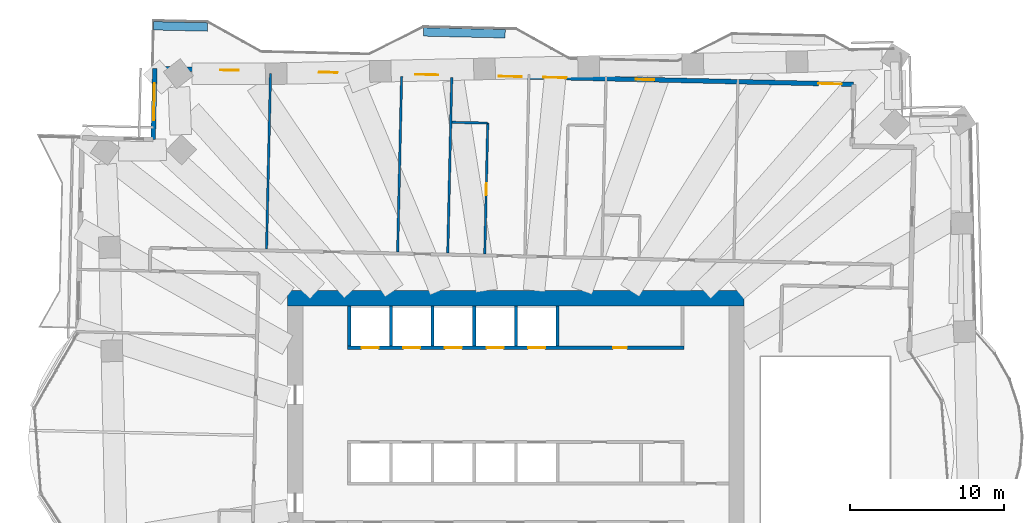
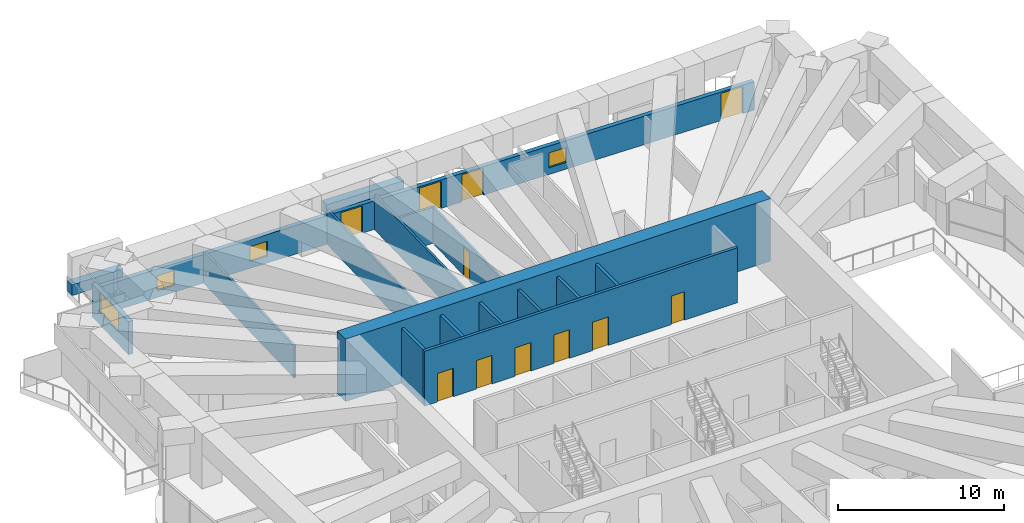
# One storey, part 13 of 20: 17 walls, 11 doors, 4 windows, 15 openings.
"""IFC4 building model written with IfcOpenShell, lengths in metres."""

import ifcopenshell
import ifcopenshell.guid

model = None  # the IFC model being written
_history = None  # IfcOwnerHistory: only IFC2X3 demands one
_inside = {}  # id of a spatial element -> (the spatial element, [elements in it])
_under = {}  # id of a project, library or spatial element -> (it, [spatial elements below it])
_declared = {}  # id of a project -> (the project, [libraries it declares])
_typed = {}  # id of a type object -> (the type object, [elements of that type])
_made_of = {}  # id of a material, layer set ... -> (it, [elements and type objects made of it])


def new_model(schema):
    """Start an empty IFC model of exactly this schema.

    Asked for "IFC4X3", IfcOpenShell would pick the latest addendum, in which some entities
    have other attributes; the version numbers below select the first issue.
    IFC2X3 requires an IfcOwnerHistory on every rooted entity: one is made here for all.
    """
    global model, _history
    if schema == "IFC4X3":
        model = ifcopenshell.file(schema_version=(4, 3, 0, 0))
    else:
        model = ifcopenshell.file(schema=schema)
    _inside.clear()
    _under.clear()
    _declared.clear()
    _typed.clear()
    _made_of.clear()
    _history = None
    if model.schema == "IFC2X3":
        org = make("IfcOrganization", Name="unknown")
        user = make(
            "IfcPersonAndOrganization",
            ThePerson=make("IfcPerson", FamilyName="unknown"),
            TheOrganization=org,
        )
        app = make(
            "IfcApplication",
            ApplicationDeveloper=org,
            Version="unknown",
            ApplicationFullName="unknown",
            ApplicationIdentifier="unknown",
        )
        _history = make(
            "IfcOwnerHistory",
            OwningUser=user,
            OwningApplication=app,
            ChangeAction="ADDED",
            CreationDate=0,
        )
    return model


def make(cls, **values):
    """One entity of the class cls with the attributes given. An attribute that is None is left unset."""
    return model.create_entity(
        cls, **{name: value for name, value in values.items() if value is not None}
    )


def rooted(cls, **values):
    """An entity with a GlobalId (a new one), such as an element, a storey or a relation."""
    return make(cls, GlobalId=ifcopenshell.guid.new(), OwnerHistory=_history, **values)


def si_unit(unit_type, name, prefix=None):
    """IfcSIUnit, for example si_unit("LENGTHUNIT", "METRE", prefix="MILLI")."""
    return make("IfcSIUnit", UnitType=unit_type, Prefix=prefix, Name=name)


def assignment(units):
    """IfcUnitAssignment: the units of a project."""
    return None if units is None else make("IfcUnitAssignment", Units=units)


def point(xyz):
    """IfcCartesianPoint."""
    return None if xyz is None else make("IfcCartesianPoint", Coordinates=xyz)


def direction(xyz):
    """IfcDirection."""
    return None if xyz is None else make("IfcDirection", DirectionRatios=xyz)


def frame(location, z_axis=None, x_axis=None):
    """IfcAxis2Placement3D, a coordinate frame: its origin and axes. An axis left out is left unset."""
    return make(
        "IfcAxis2Placement3D",
        Location=point(location),
        Axis=direction(z_axis),
        RefDirection=direction(x_axis),
    )


def frame_2d(location, x_axis=None):
    """IfcAxis2Placement2D, a coordinate frame in the plane: its origin and x axis."""
    return make(
        "IfcAxis2Placement2D", Location=point(location), RefDirection=direction(x_axis)
    )


def origin():
    """The frame at (0, 0, 0) with its axes left unset."""
    return frame((0.0, 0.0, 0.0))


def place(relative_to, where):
    """IfcLocalPlacement: puts the frame where relative to a parent placement (None: the world)."""
    return make(
        "IfcLocalPlacement", PlacementRelTo=relative_to, RelativePlacement=where
    )


def context(
    kind, dimensions, precision=None, world=None, true_north=None, identifier=None
):
    """IfcGeometricRepresentationContext, for example the 3D "Model" context."""
    return make(
        "IfcGeometricRepresentationContext",
        ContextIdentifier=identifier,
        ContextType=kind,
        CoordinateSpaceDimension=dimensions,
        Precision=precision,
        WorldCoordinateSystem=world,
        TrueNorth=true_north,
    )


def subcontext(parent, identifier, kind, view, scale=None):
    """IfcGeometricRepresentationSubContext, for example "Body" below "Model"."""
    return make(
        "IfcGeometricRepresentationSubContext",
        ContextIdentifier=identifier,
        ContextType=kind,
        ParentContext=parent,
        TargetScale=scale,
        TargetView=view,
    )


def project(units=None, contexts=None):
    """IfcProject with its units and contexts."""
    return rooted(
        "IfcProject",
        Name="project",
        RepresentationContexts=contexts,
        UnitsInContext=assignment(units),
    )


def spatial(cls, under=None, at=None, **own):
    """A site, building, storey or space (cls), placed at a placement, below another one or the project."""
    s = rooted(cls, ObjectPlacement=at, **own)
    if under is not None:
        _under.setdefault(under.id(), (under, []))[1].append(s)
    return s


def profile(cls, at=None, kind="AREA", **sizes):
    """A parametric profile (cls). Its sizes go by their IFC names, for example OverallWidth=200.0."""
    return make(cls, ProfileType=kind, Position=at, **sizes)


def rectangle(**sizes):
    """IfcRectangleProfileDef."""
    return profile("IfcRectangleProfileDef", **sizes)


def extrude(swept, where, along, depth):
    """IfcExtrudedAreaSolid: the profile swept, set in the frame where, extruded along a direction by depth."""
    return make(
        "IfcExtrudedAreaSolid",
        SweptArea=swept,
        Position=where,
        ExtrudedDirection=direction(along),
        Depth=depth,
    )


def shape(context_of_items, identifier, shape_type, items):
    """IfcShapeRepresentation: the items that make up one representation, for example the "Body"."""
    return make(
        "IfcShapeRepresentation",
        ContextOfItems=context_of_items,
        RepresentationIdentifier=identifier,
        RepresentationType=shape_type,
        Items=items,
    )


def material(Name=None, Category=None):
    """IfcMaterial."""
    return make("IfcMaterial", Name=Name, Category=Category)


def layer(
    of_material, thickness, ventilated=None, Name=None, Category=None, Priority=None
):
    """IfcMaterialLayer: one layer of a wall or slab, of a material (None: an air gap)."""
    return make(
        "IfcMaterialLayer",
        Material=of_material,
        LayerThickness=thickness,
        IsVentilated=ventilated,
        Name=Name,
        Category=Category,
        Priority=Priority,
    )


def layer_set(layers, Name=None):
    """IfcMaterialLayerSet."""
    return make("IfcMaterialLayerSet", MaterialLayers=layers, LayerSetName=Name)


def made_of(thing, what):
    """Note that an element or type object is made of a material, layer set ...; save() writes the relation."""
    if what is not None:
        _made_of.setdefault(what.id(), (what, []))[1].append(thing)
    return thing


def type_object(cls, material=None, **own):
    """A type object (cls), such as IfcWallType, which elements share."""
    return made_of(rooted(cls, **own), material)


def element(
    cls,
    number,
    at=None,
    inside=None,
    cuts=None,
    type_object=None,
    material=None,
    context=None,
    identifier="Body",
    shape_type=None,
    held_by="IfcProductDefinitionShape",
    body=None,
    shapes=None,
    **own,
):
    """One element of the class cls, such as IfcWall. Its Tag is "e" and its number.

    at: its placement. inside: the storey or other place that contains it. cuts: it is an
    opening in that element (IfcRelVoidsElement). A single representation is given by context,
    identifier, shape_type and body (its items); several are given by shapes. held_by: the class
    of the entity that holds the representations. save() writes the other relations.
    """
    e = rooted(cls, Tag="e%d" % number, ObjectPlacement=at, **own)
    if body is not None:
        shapes = [shape(context, identifier, shape_type, body)]
    if shapes is not None:
        e.Representation = make(held_by, Representations=shapes)
    if inside is not None:
        _inside.setdefault(inside.id(), (inside, []))[1].append(e)
    if cuts is not None:
        rooted(
            "IfcRelVoidsElement", RelatingBuildingElement=cuts, RelatedOpeningElement=e
        )
    if type_object is not None:
        _typed.setdefault(type_object.id(), (type_object, []))[1].append(e)
    return made_of(e, material)


def fill(opening, filler):
    """IfcRelFillsElement: the door or window that sits in an opening."""
    return rooted(
        "IfcRelFillsElement",
        RelatingOpeningElement=opening,
        RelatedBuildingElement=filler,
    )


def aggregate(whole, parts):
    """IfcRelAggregates: a whole, such as a stair, and the parts it consists of."""
    return rooted("IfcRelAggregates", RelatingObject=whole, RelatedObjects=parts)


def save(model, path):
    """Write the relations noted so far, then the file.

    IfcRelAggregates (storeys below a building ...), IfcRelContainedInSpatialStructure (elements
    in a storey), IfcRelDefinesByType, IfcRelAssociatesMaterial and IfcRelDeclares: one each for
    every whole, place, type object, material and project.
    """
    for whole, parts in _under.values():
        aggregate(whole, parts)
    for where, things in _inside.values():
        rooted(
            "IfcRelContainedInSpatialStructure",
            RelatedElements=things,
            RelatingStructure=where,
        )
    for kind, things in _typed.values():
        rooted("IfcRelDefinesByType", RelatedObjects=things, RelatingType=kind)
    for what, things in _made_of.values():
        rooted("IfcRelAssociatesMaterial", RelatedObjects=things, RelatingMaterial=what)
    for by, libraries in _declared.values():
        rooted("IfcRelDeclares", RelatingContext=by, RelatedDefinitions=libraries)
    model.write(path)


model = new_model("IFC4")

# Units and contexts
model_context = context("Model", 3, precision=1e-05, world=origin(), true_north=direction((0.0, 1.0)))
body_context = subcontext(model_context, "Body", "Model", "MODEL_VIEW")
ifc_project = project(units=[si_unit("LENGTHUNIT", "METRE"), si_unit("AREAUNIT", "SQUARE_METRE"), si_unit("VOLUMEUNIT", "CUBIC_METRE"), si_unit("PLANEANGLEUNIT", "RADIAN"), si_unit("MASSUNIT", "GRAM", prefix="KILO")], contexts=[model_context])

# Site, building, storey
site_placement = place(None, origin())
site = spatial("IfcSite", under=ifc_project, at=site_placement, CompositionType="ELEMENT")
building_placement = place(site_placement, origin())
building = spatial("IfcBuilding", under=site, at=building_placement, Name="Mangrove Gate Tower", CompositionType="ELEMENT")
storey_placement = place(building_placement, frame((0.0, 0.0, 97.300048828125)))
storey = spatial("IfcBuildingStorey", under=building, at=storey_placement, Name="L24", CompositionType="ELEMENT", Elevation=97.300048828125)

# Wall, openings, doors
ifc_material_1 = material(Name="Concrete C70/85", Category="concrete")
ifc_layer_1 = layer(ifc_material_1, 0.199951171875)
ifc_layer_set_1 = layer_set([ifc_layer_1], Name="Core shaft wall 200 C70/85")
wall_type_1 = type_object("IfcWallType", Name="Core shaft wall 200 C70/85", PredefinedType="SHEAR", material=ifc_layer_set_1)
wall_1_placement = place(storey_placement, frame((-10.89990234375, 8.10009765625, 0.0), z_axis=(0.0, 0.0, 1.0), x_axis=(1.0, 0.0, 0.0)))
wall_1 = element("IfcWall", 1, at=wall_1_placement, inside=storey, type_object=wall_type_1, Name="WALL-L24-CORE-8", PredefinedType="SHEAR", context=body_context, shape_type="SweptSolid", body=[
    extrude(rectangle(XDim=21.7998046875, YDim=0.199951171875, at=frame_2d((10.89990234375, 0.0))), origin(), (0.0, 0.0, 1.0), 4.050048828125),
])
opening_1_placement = place(wall_1_placement, frame((0.89990234375, 0.0, 0.0)))
opening_1 = element("IfcOpeningElement", 2, at=opening_1_placement, cuts=wall_1, Name="Opening LD", PredefinedType="OPENING", context=body_context, shape_type="SweptSolid", body=[
    extrude(rectangle(XDim=1.10009765625, YDim=2.10009765625, at=frame_2d((0.550048828125, 1.050048828125))), frame((0.0, 0.10986328125, 0.0), z_axis=(0.0, -1.0, 0.0), x_axis=(1.0, 0.0, 0.0)), (0.0, 0.0, 1.0), 0.219970703125),
])
opening_2_placement = place(wall_1_placement, frame((3.60009765625, 0.0, 0.0)))
opening_2 = element("IfcOpeningElement", 3, at=opening_2_placement, cuts=wall_1, Name="Opening LD", PredefinedType="OPENING", context=body_context, shape_type="SweptSolid", body=[
    extrude(rectangle(XDim=1.10009765625, YDim=2.10009765625, at=frame_2d((0.550048828125, 1.050048828125))), frame((0.0, 0.10986328125, 0.0), z_axis=(0.0, -1.0, 0.0), x_axis=(1.0, 0.0, 0.0)), (0.0, 0.0, 1.0), 0.219970703125),
])
opening_3_placement = place(wall_1_placement, frame((6.300048828125, 0.0, 0.0)))
opening_3 = element("IfcOpeningElement", 4, at=opening_3_placement, cuts=wall_1, Name="Opening LD", PredefinedType="OPENING", context=body_context, shape_type="SweptSolid", body=[
    extrude(rectangle(XDim=1.10009765625, YDim=2.10009765625, at=frame_2d((0.550048828125, 1.050048828125))), frame((0.0, 0.10986328125, 0.0), z_axis=(0.0, -1.0, 0.0), x_axis=(1.0, 0.0, 0.0)), (0.0, 0.0, 1.0), 0.219970703125),
])
opening_4_placement = place(wall_1_placement, frame((9.0, 0.0, 0.0)))
opening_4 = element("IfcOpeningElement", 5, at=opening_4_placement, cuts=wall_1, Name="Opening LD", PredefinedType="OPENING", context=body_context, shape_type="SweptSolid", body=[
    extrude(rectangle(XDim=1.10009765625, YDim=2.10009765625, at=frame_2d((0.550048828125, 1.050048828125))), frame((0.0, 0.10986328125, 0.0), z_axis=(0.0, -1.0, 0.0), x_axis=(1.0, 0.0, 0.0)), (0.0, 0.0, 1.0), 0.219970703125),
])
opening_5_placement = place(wall_1_placement, frame((11.699951171875, 0.0, 0.0)))
opening_5 = element("IfcOpeningElement", 6, at=opening_5_placement, cuts=wall_1, Name="Opening LD", PredefinedType="OPENING", context=body_context, shape_type="SweptSolid", body=[
    extrude(rectangle(XDim=1.10009765625, YDim=2.10009765625, at=frame_2d((0.550048828125, 1.050048828125))), frame((0.0, 0.10986328125, 0.0), z_axis=(0.0, -1.0, 0.0), x_axis=(1.0, 0.0, 0.0)), (0.0, 0.0, 1.0), 0.219970703125),
])
opening_6_placement = place(wall_1_placement, frame((17.199951171875, 0.0, 0.0)))
opening_6 = element("IfcOpeningElement", 7, at=opening_6_placement, cuts=wall_1, Name="Opening KD", PredefinedType="OPENING", context=body_context, shape_type="SweptSolid", body=[
    extrude(rectangle(XDim=0.89990234375, YDim=2.10009765625, at=frame_2d((0.449951171875, 1.050048828125))), frame((0.0, 0.10986328125, 0.0), z_axis=(0.0, -1.0, 0.0), x_axis=(1.0, 0.0, 0.0)), (0.0, 0.0, 1.0), 0.219970703125),
])
ifc_material_2 = material(Name="Fire-rated steel door set", Category="steel")
door_type_1 = type_object("IfcDoorType", Name="Core room door FD30S 900x2100", OperationType="SINGLE_SWING_RIGHT", PredefinedType="DOOR", material=ifc_material_2)
door_1_placement = place(opening_6_placement, origin())
door_1 = element("IfcDoor", 8, at=door_1_placement, inside=storey, type_object=door_type_1, Name="Core room door Refuse store", OperationType="SINGLE_SWING_RIGHT", OverallHeight=2.10009765625, OverallWidth=0.89990234375, PredefinedType="DOOR", context=body_context, shape_type="SweptSolid", body=[
    extrude(rectangle(XDim=0.89990234375, YDim=2.10009765625, at=frame_2d((0.449951171875, 1.050048828125))), frame((0.0, 0.02490234375, 0.0), z_axis=(0.0, -1.0, 0.0), x_axis=(1.0, 0.0, 0.0)), (0.0, 0.0, 1.0), 0.050048828125),
])
fill(opening_6, door_1)
ifc_material_3 = material(Name="Stainless steel 316", Category="steel")
door_type_2 = type_object("IfcDoorType", Name="Lift landing door 1100x2100", OperationType="SLIDING_TO_LEFT", PredefinedType="DOOR", material=ifc_material_3)
door_2_placement = place(opening_1_placement, origin())
door_2 = element("IfcDoor", 9, at=door_2_placement, inside=storey, type_object=door_type_2, Name="Landing door LD P06", OperationType="SLIDING_TO_LEFT", OverallHeight=2.10009765625, OverallWidth=1.10009765625, PredefinedType="DOOR", context=body_context, shape_type="SweptSolid", body=[
    extrude(rectangle(XDim=1.10009765625, YDim=2.10009765625, at=frame_2d((0.550048828125, 1.050048828125))), frame((0.0, 0.02490234375, 0.0), z_axis=(0.0, -1.0, 0.0), x_axis=(1.0, 0.0, 0.0)), (0.0, 0.0, 1.0), 0.050048828125),
])
fill(opening_1, door_2)
door_3_placement = place(opening_2_placement, origin())
door_3 = element("IfcDoor", 10, at=door_3_placement, inside=storey, type_object=door_type_2, Name="Landing door LD P07", OperationType="SLIDING_TO_LEFT", OverallHeight=2.10009765625, OverallWidth=1.10009765625, PredefinedType="DOOR", context=body_context, shape_type="SweptSolid", body=[
    extrude(rectangle(XDim=1.10009765625, YDim=2.10009765625, at=frame_2d((0.550048828125, 1.050048828125))), frame((0.0, 0.02490234375, 0.0), z_axis=(0.0, -1.0, 0.0), x_axis=(1.0, 0.0, 0.0)), (0.0, 0.0, 1.0), 0.050048828125),
])
fill(opening_2, door_3)
door_4_placement = place(opening_3_placement, origin())
door_4 = element("IfcDoor", 11, at=door_4_placement, inside=storey, type_object=door_type_2, Name="Landing door LD P08", OperationType="SLIDING_TO_LEFT", OverallHeight=2.10009765625, OverallWidth=1.10009765625, PredefinedType="DOOR", context=body_context, shape_type="SweptSolid", body=[
    extrude(rectangle(XDim=1.10009765625, YDim=2.10009765625, at=frame_2d((0.550048828125, 1.050048828125))), frame((0.0, 0.02490234375, 0.0), z_axis=(0.0, -1.0, 0.0), x_axis=(1.0, 0.0, 0.0)), (0.0, 0.0, 1.0), 0.050048828125),
])
fill(opening_3, door_4)
door_5_placement = place(opening_4_placement, origin())
door_5 = element("IfcDoor", 12, at=door_5_placement, inside=storey, type_object=door_type_2, Name="Landing door LD P09", OperationType="SLIDING_TO_LEFT", OverallHeight=2.10009765625, OverallWidth=1.10009765625, PredefinedType="DOOR", context=body_context, shape_type="SweptSolid", body=[
    extrude(rectangle(XDim=1.10009765625, YDim=2.10009765625, at=frame_2d((0.550048828125, 1.050048828125))), frame((0.0, 0.02490234375, 0.0), z_axis=(0.0, -1.0, 0.0), x_axis=(1.0, 0.0, 0.0)), (0.0, 0.0, 1.0), 0.050048828125),
])
fill(opening_4, door_5)
door_6_placement = place(opening_5_placement, origin())
door_6 = element("IfcDoor", 13, at=door_6_placement, inside=storey, type_object=door_type_2, Name="Landing door LD P10", OperationType="SLIDING_TO_LEFT", OverallHeight=2.10009765625, OverallWidth=1.10009765625, PredefinedType="DOOR", context=body_context, shape_type="SweptSolid", body=[
    extrude(rectangle(XDim=1.10009765625, YDim=2.10009765625, at=frame_2d((0.550048828125, 1.050048828125))), frame((0.0, 0.02490234375, 0.0), z_axis=(0.0, -1.0, 0.0), x_axis=(1.0, 0.0, 0.0)), (0.0, 0.0, 1.0), 0.050048828125),
])
fill(opening_5, door_6)

# Walls
for number, where, z_axis, x_axis, name in (
    (14, (-10.800048828125, 8.199951171875, 0.0), (0.0, 0.0, 1.0), (0.0, 1.0, 0.0), "WALL-L24-CORE-27"),
    (15, (-8.10009765625, 8.199951171875, 0.0), (0.0, 0.0, 1.0), (0.0, 1.0, 0.0), "WALL-L24-CORE-28"),
    (16, (-5.39990234375, 8.199951171875, 0.0), (0.0, 0.0, 1.0), (0.0, 1.0, 0.0), "WALL-L24-CORE-29"),
    (17, (-2.699951171875, 8.199951171875, 0.0), (0.0, 0.0, 1.0), (0.0, 1.0, 0.0), "WALL-L24-CORE-30"),
    (18, (0.0, 8.199951171875, 0.0), (0.0, 0.0, 1.0), (0.0, 1.0, 0.0), "WALL-L24-CORE-31"),
    (19, (2.699951171875, 8.199951171875, 0.0), (0.0, 0.0, 1.0), (0.0, 1.0, 0.0), "WALL-L24-CORE-32"),
):
    element("IfcWall", number, at=place(storey_placement, frame(where, z_axis=z_axis, x_axis=x_axis)), inside=storey, type_object=wall_type_1, Name=name, PredefinedType="SHEAR", context=body_context, shape_type="SweptSolid", body=[
        extrude(rectangle(XDim=2.60009765625, YDim=0.199951171875, at=frame_2d((1.300048828125, 0.0))), origin(), (0.0, 0.0, 1.0), 4.050048828125),
    ])
ifc_material_4 = material(Name="Concrete C70/85", Category="concrete")
ifc_layer_2 = layer(ifc_material_4, 1.0)
ifc_layer_set_2 = layer_set([ifc_layer_2], Name="Core wall 1000 C70/85")
wall_type_2 = type_object("IfcWallType", Name="Core wall 1000 C70/85", PredefinedType="SHEAR", material=ifc_layer_set_2)
wall_2_placement = place(storey_placement, frame((-14.800048828125, 11.300048828125, 0.0), z_axis=(0.0, 0.0, 1.0), x_axis=(1.0, 0.0, 0.0)))
element("IfcWall", 20, at=wall_2_placement, inside=storey, type_object=wall_type_2, Name="WALL-L24-CORE-2", PredefinedType="SHEAR", context=body_context, shape_type="SweptSolid", body=[
    extrude(rectangle(XDim=29.60009765625, YDim=1.0, at=frame_2d((14.800048828125, 0.0))), origin(), (0.0, 0.0, 1.0), 4.599853515625),
])

# Wall, openings, doors, windows
ifc_material_5 = material(Name="Limestone", Category="masonry")
ifc_layer_3 = layer(ifc_material_5, 0.0400390625, Name="Limestone cladding")
ifc_material_6 = material(Name="Ventilated air gap")
ifc_layer_4 = layer(ifc_material_6, 0.0400390625, Name="Ventilated cavity")
ifc_material_7 = material(Name="Mineral wool insulation")
ifc_layer_5 = layer(ifc_material_7, 0.06005859375, Name="Insulation")
ifc_material_8 = material(Name="Breather membrane")
ifc_layer_6 = layer(ifc_material_8, 0.001953125, Name="Breather membrane")
ifc_material_9 = material(Name="Concrete C20/25 blockwork", Category="masonry")
ifc_layer_7 = layer(ifc_material_9, 0.14990234375, Name="Blockwork backing wall")
ifc_material_10 = material(Name="Gypsum plaster")
ifc_layer_8 = layer(ifc_material_10, 0.008056640625, Name="Internal plaster")
ifc_layer_set_3 = layer_set([ifc_layer_3, ifc_layer_4, ifc_layer_5, ifc_layer_6, ifc_layer_7, ifc_layer_8], Name="External wall 300 limestone cladding")
wall_type_3 = type_object("IfcWallType", Name="External wall 300 limestone cladding", PredefinedType="SOLIDWALL", material=ifc_layer_set_3)
wall_3_placement = place(storey_placement, frame((21.89404296875, 25.173095703125, 0.0), z_axis=(0.0, 0.0, 1.0), x_axis=(-0.999742661083, 0.022685052594, 0.0)))
wall_3 = element("IfcWall", 21, at=wall_3_placement, inside=storey, type_object=wall_type_3, Name="WALL-L24-N5", PredefinedType="SOLIDWALL", context=body_context, shape_type="SweptSolid", body=[
    extrude(rectangle(XDim=45.308837890625, YDim=0.300048828125, at=frame_2d((22.654296875, 0.0))), origin(), (0.0, 0.0, 1.0), 2.099853515625),
])
opening_7_placement = place(wall_3_placement, frame((0.7880859375, 0.0, 0.0)))
opening_7 = element("IfcOpeningElement", 22, at=opening_7_placement, cuts=wall_3, Name="Opening BD3", PredefinedType="OPENING", context=body_context, shape_type="SweptSolid", body=[
    extrude(rectangle(XDim=1.5, YDim=2.0, at=frame_2d((0.75, 1.0))), frame((0.0, 0.159912109375, 0.0), z_axis=(0.0, -1.0, 0.0), x_axis=(1.0, 0.0, 0.0)), (0.0, 0.0, 1.0), 0.320068359375),
])
opening_8_placement = place(wall_3_placement, frame((12.9208984375, 0.0, 0.5)))
opening_8 = element("IfcOpeningElement", 23, at=opening_8_placement, cuts=wall_3, Name="Opening W6", PredefinedType="OPENING", context=body_context, shape_type="SweptSolid", body=[
    extrude(rectangle(XDim=1.199951171875, YDim=1.10009765625, at=frame_2d((0.60009765625, 0.550048828125))), frame((0.0, 0.159912109375, 0.0), z_axis=(0.0, -1.0, 0.0), x_axis=(1.0, 0.0, 0.0)), (0.0, 0.0, 1.0), 0.320068359375),
])
opening_9_placement = place(wall_3_placement, frame((18.617919921875, 0.0, 0.0)))
opening_9 = element("IfcOpeningElement", 24, at=opening_9_placement, cuts=wall_3, Name="Opening BD3", PredefinedType="OPENING", context=body_context, shape_type="SweptSolid", body=[
    extrude(rectangle(XDim=1.5, YDim=2.0, at=frame_2d((0.75, 1.0))), frame((0.0, 0.159912109375, 0.0), z_axis=(0.0, -1.0, 0.0), x_axis=(1.0, 0.0, 0.0)), (0.0, 0.0, 1.0), 0.320068359375),
])
opening_10_placement = place(wall_3_placement, frame((21.510009765625, 0.0, 0.0)))
opening_10 = element("IfcOpeningElement", 25, at=opening_10_placement, cuts=wall_3, Name="Opening BD3", PredefinedType="OPENING", context=body_context, shape_type="SweptSolid", body=[
    extrude(rectangle(XDim=1.5, YDim=2.0, at=frame_2d((0.75, 1.0))), frame((0.0, 0.159912109375, 0.0), z_axis=(0.0, -1.0, 0.0), x_axis=(1.0, 0.0, 0.0)), (0.0, 0.0, 1.0), 0.320068359375),
])
opening_11_placement = place(wall_3_placement, frame((26.93310546875, 0.0, 0.0)))
opening_11 = element("IfcOpeningElement", 26, at=opening_11_placement, cuts=wall_3, Name="Opening BD3", PredefinedType="OPENING", context=body_context, shape_type="SweptSolid", body=[
    extrude(rectangle(XDim=1.5, YDim=2.0, at=frame_2d((0.75, 1.0))), frame((0.0, 0.159912109375, 0.0), z_axis=(0.0, -1.0, 0.0), x_axis=(1.0, 0.0, 0.0)), (0.0, 0.0, 1.0), 0.320068359375),
])
opening_12_placement = place(wall_3_placement, frame((33.464111328125, 0.0, 0.5)))
opening_12 = element("IfcOpeningElement", 27, at=opening_12_placement, cuts=wall_3, Name="Opening W6", PredefinedType="OPENING", context=body_context, shape_type="SweptSolid", body=[
    extrude(rectangle(XDim=1.199951171875, YDim=1.10009765625, at=frame_2d((0.60009765625, 0.550048828125))), frame((0.0, 0.159912109375, 0.0), z_axis=(0.0, -1.0, 0.0), x_axis=(1.0, 0.0, 0.0)), (0.0, 0.0, 1.0), 0.320068359375),
])
opening_13_placement = place(wall_3_placement, frame((39.8779296875, 0.0, 0.5)))
opening_13 = element("IfcOpeningElement", 28, at=opening_13_placement, cuts=wall_3, Name="Opening W6", PredefinedType="OPENING", context=body_context, shape_type="SweptSolid", body=[
    extrude(rectangle(XDim=1.199951171875, YDim=1.10009765625, at=frame_2d((0.60009765625, 0.550048828125))), frame((0.0, 0.159912109375, 0.0), z_axis=(0.0, -1.0, 0.0), x_axis=(1.0, 0.0, 0.0)), (0.0, 0.0, 1.0), 0.320068359375),
])
ifc_material_11 = material(Name="Aluminium frame with laminated clear glass", Category="aluminium")
door_type_3 = type_object("IfcDoorType", Name="Balcony sliding door 1500x2000", OperationType="SLIDING_TO_LEFT", PredefinedType="DOOR", material=ifc_material_11)
door_7_placement = place(opening_7_placement, origin())
door_7 = element("IfcDoor", 29, at=door_7_placement, inside=storey, type_object=door_type_3, Name="DOOR-L24-N5-1", OperationType="SLIDING_TO_LEFT", OverallHeight=2.0, OverallWidth=1.5, PredefinedType="DOOR", context=body_context, shape_type="SweptSolid", body=[
    extrude(rectangle(XDim=1.5, YDim=2.0, at=frame_2d((0.75, 1.0))), frame((0.0, 0.02490234375, 0.0), z_axis=(0.0, -1.0, 0.0), x_axis=(1.0, 0.0, 0.0)), (0.0, 0.0, 1.0), 0.050048828125),
])
fill(opening_7, door_7)
door_8_placement = place(opening_9_placement, origin())
door_8 = element("IfcDoor", 30, at=door_8_placement, inside=storey, type_object=door_type_3, Name="DOOR-L24-N5-3", OperationType="SLIDING_TO_LEFT", OverallHeight=2.0, OverallWidth=1.5, PredefinedType="DOOR", context=body_context, shape_type="SweptSolid", body=[
    extrude(rectangle(XDim=1.5, YDim=2.0, at=frame_2d((0.75, 1.0))), frame((0.0, 0.02490234375, 0.0), z_axis=(0.0, -1.0, 0.0), x_axis=(1.0, 0.0, 0.0)), (0.0, 0.0, 1.0), 0.050048828125),
])
fill(opening_9, door_8)
door_9_placement = place(opening_10_placement, origin())
door_9 = element("IfcDoor", 31, at=door_9_placement, inside=storey, type_object=door_type_3, Name="DOOR-L24-N5-4", OperationType="SLIDING_TO_LEFT", OverallHeight=2.0, OverallWidth=1.5, PredefinedType="DOOR", context=body_context, shape_type="SweptSolid", body=[
    extrude(rectangle(XDim=1.5, YDim=2.0, at=frame_2d((0.75, 1.0))), frame((0.0, 0.02490234375, 0.0), z_axis=(0.0, -1.0, 0.0), x_axis=(1.0, 0.0, 0.0)), (0.0, 0.0, 1.0), 0.050048828125),
])
fill(opening_10, door_9)
door_10_placement = place(opening_11_placement, origin())
door_10 = element("IfcDoor", 32, at=door_10_placement, inside=storey, type_object=door_type_3, Name="DOOR-L24-N5-5", OperationType="SLIDING_TO_LEFT", OverallHeight=2.0, OverallWidth=1.5, PredefinedType="DOOR", context=body_context, shape_type="SweptSolid", body=[
    extrude(rectangle(XDim=1.5, YDim=2.0, at=frame_2d((0.75, 1.0))), frame((0.0, 0.02490234375, 0.0), z_axis=(0.0, -1.0, 0.0), x_axis=(1.0, 0.0, 0.0)), (0.0, 0.0, 1.0), 0.050048828125),
])
fill(opening_11, door_10)
ifc_material_12 = material(Name="Aluminium frame with double-glazed low-e glass", Category="aluminium")
window_type_1 = type_object("IfcWindowType", Name="Low window 1200x1100", PartitioningType="SINGLE_PANEL", PredefinedType="WINDOW", material=ifc_material_12)
window_1_placement = place(opening_8_placement, origin())
window_1 = element("IfcWindow", 33, at=window_1_placement, inside=storey, type_object=window_type_1, Name="WIN-L24-N5-2", OverallHeight=1.10009765625, OverallWidth=1.199951171875, PartitioningType="SINGLE_PANEL", PredefinedType="WINDOW", context=body_context, shape_type="SweptSolid", body=[
    extrude(rectangle(XDim=1.199951171875, YDim=1.10009765625, at=frame_2d((0.60009765625, 0.550048828125))), frame((0.0, 0.030029296875, 0.0), z_axis=(0.0, -1.0, 0.0), x_axis=(1.0, 0.0, 0.0)), (0.0, 0.0, 1.0), 0.06005859375),
])
fill(opening_8, window_1)
window_2_placement = place(opening_12_placement, origin())
window_2 = element("IfcWindow", 34, at=window_2_placement, inside=storey, type_object=window_type_1, Name="WIN-L24-N5-6", OverallHeight=1.10009765625, OverallWidth=1.199951171875, PartitioningType="SINGLE_PANEL", PredefinedType="WINDOW", context=body_context, shape_type="SweptSolid", body=[
    extrude(rectangle(XDim=1.199951171875, YDim=1.10009765625, at=frame_2d((0.60009765625, 0.550048828125))), frame((0.0, 0.030029296875, 0.0), z_axis=(0.0, -1.0, 0.0), x_axis=(1.0, 0.0, 0.0)), (0.0, 0.0, 1.0), 0.06005859375),
])
fill(opening_12, window_2)
window_3_placement = place(opening_13_placement, origin())
window_3 = element("IfcWindow", 35, at=window_3_placement, inside=storey, type_object=window_type_1, Name="WIN-L24-N5-7", OverallHeight=1.10009765625, OverallWidth=1.199951171875, PartitioningType="SINGLE_PANEL", PredefinedType="WINDOW", context=body_context, shape_type="SweptSolid", body=[
    extrude(rectangle(XDim=1.199951171875, YDim=1.10009765625, at=frame_2d((0.60009765625, 0.550048828125))), frame((0.0, 0.030029296875, 0.0), z_axis=(0.0, -1.0, 0.0), x_axis=(1.0, 0.0, 0.0)), (0.0, 0.0, 1.0), 0.06005859375),
])
fill(opening_13, window_3)

# Wall, opening, window
wall_4_placement = place(storey_placement, frame((-23.403076171875, 26.200927734375, 0.0), z_axis=(0.0, 0.0, 1.0), x_axis=(-0.022609285172, -0.999744377441, 0.0)))
wall_4 = element("IfcWall", 36, at=wall_4_placement, inside=storey, type_object=wall_type_3, Name="WALL-L24-W6", PredefinedType="SOLIDWALL", context=body_context, shape_type="SweptSolid", body=[
    extrude(rectangle(XDim=4.60009765625, YDim=0.300048828125, at=frame_2d((2.300048828125, 0.0))), origin(), (0.0, 0.0, 1.0), 2.449951171875),
])
opening_14_placement = place(wall_4_placement, frame((0.949951171875, 0.0, 0.89990234375)))
opening_14 = element("IfcOpeningElement", 37, at=opening_14_placement, cuts=wall_4, Name="Opening W2", PredefinedType="OPENING", context=body_context, shape_type="SweptSolid", body=[
    extrude(rectangle(XDim=2.39990234375, YDim=1.5, at=frame_2d((1.199951171875, 0.75))), frame((0.0, 0.159912109375, 0.0), z_axis=(0.0, -1.0, 0.0), x_axis=(1.0, 0.0, 0.0)), (0.0, 0.0, 1.0), 0.320068359375),
])
ifc_material_13 = material(Name="Aluminium frame with double-glazed low-e glass", Category="aluminium")
window_type_2 = type_object("IfcWindowType", Name="Corner room window 2400x1500", PartitioningType="DOUBLE_PANEL_VERTICAL", PredefinedType="WINDOW", material=ifc_material_13)
window_4_placement = place(opening_14_placement, origin())
window_4 = element("IfcWindow", 38, at=window_4_placement, inside=storey, type_object=window_type_2, Name="WIN-L24-W6-1", OverallHeight=1.5, OverallWidth=2.39990234375, PartitioningType="DOUBLE_PANEL_VERTICAL", PredefinedType="WINDOW", context=body_context, shape_type="SweptSolid", body=[
    extrude(rectangle(XDim=2.39990234375, YDim=1.5, at=frame_2d((1.199951171875, 0.75))), frame((0.0, 0.030029296875, 0.0), z_axis=(0.0, -1.0, 0.0), x_axis=(1.0, 0.0, 0.0)), (0.0, 0.0, 1.0), 0.06005859375),
])
fill(opening_14, window_4)

# Walls
ifc_material_14 = material(Name="Gypsum board on steel stud, EI 60", Category="steel")
ifc_layer_9 = layer(ifc_material_14, 0.14990234375)
ifc_layer_set_4 = layer_set([ifc_layer_9], Name="Party wall 150 EI 60")
wall_type_4 = type_object("IfcWallType", Name="Party wall 150 EI 60", PredefinedType="PARTITIONING", material=ifc_layer_set_4)
wall_5_placement = place(storey_placement, frame((-16.162109375, 14.508056640625, 0.0), z_axis=(0.0, 0.0, 1.0), x_axis=(0.022684355347, 0.999742676904, 0.0)))
element("IfcWall", 39, at=wall_5_placement, inside=storey, type_object=wall_type_4, Name="WALL-L24-037", PredefinedType="PARTITIONING", context=body_context, shape_type="SweptSolid", body=[
    extrude(rectangle(XDim=11.3759765625, YDim=0.14990234375, at=frame_2d((5.68798828125, 0.0))), origin(), (0.0, 0.0, 1.0), 2.349853515625),
])
for number, where, z_axis, x_axis, name in (
    (40, (-7.6640625, 14.31494140625, 0.0), (0.0, 0.0, 1.0), (0.022684355347, 0.999742676904, 0.0), "WALL-L24-038"),
    (41, (-4.4150390625, 14.240966796875, 0.0), (0.0, 0.0, 1.0), (0.022684355347, 0.999742676904, 0.0), "WALL-L24-039"),
):
    element("IfcWall", number, at=place(storey_placement, frame(where, z_axis=z_axis, x_axis=x_axis)), inside=storey, type_object=wall_type_4, Name=name, PredefinedType="PARTITIONING", context=body_context, shape_type="SweptSolid", body=[
        extrude(rectangle(XDim=11.3759765625, YDim=0.14990234375, at=frame_2d((5.68798828125, 0.0))), origin(), (0.0, 0.0, 1.0), 2.550048828125),
    ])

# Wall, opening, door
wall_6_placement = place(storey_placement, frame((-2.01611328125, 14.18701171875, 0.0), z_axis=(0.0, 0.0, 1.0), x_axis=(0.022775036767, 0.99974061521, 0.0)))
wall_6 = element("IfcWall", 42, at=wall_6_placement, inside=storey, type_object=wall_type_4, Name="WALL-L24-040", PredefinedType="PARTITIONING", context=body_context, shape_type="SweptSolid", body=[
    extrude(rectangle(XDim=8.479248046875, YDim=0.14990234375, at=frame_2d((4.23974609375, 0.0))), origin(), (0.0, 0.0, 1.0), 2.64990234375),
])
opening_15_placement = place(wall_6_placement, frame((3.7900390625, 0.0, 0.0)))
opening_15 = element("IfcOpeningElement", 43, at=opening_15_placement, cuts=wall_6, Name="Opening ED", PredefinedType="OPENING", context=body_context, shape_type="SweptSolid", body=[
    extrude(rectangle(XDim=0.800048828125, YDim=2.10009765625, at=frame_2d((0.39990234375, 1.050048828125))), frame((0.0, 0.0849609375, 0.0), z_axis=(0.0, -1.0, 0.0), x_axis=(1.0, 0.0, 0.0)), (0.0, 0.0, 1.0), 0.169921875),
])
ifc_material_15 = material(Name="Timber door leaf", Category="wood")
door_type_4 = type_object("IfcDoorType", Name="En-suite door 800", OperationType="SINGLE_SWING_LEFT", PredefinedType="DOOR", material=ifc_material_15)
door_11_placement = place(opening_15_placement, origin())
door_11 = element("IfcDoor", 44, at=door_11_placement, inside=storey, type_object=door_type_4, Name="DOOR-L24-ENS-c505", OperationType="SINGLE_SWING_LEFT", OverallHeight=2.10009765625, OverallWidth=0.800048828125, PredefinedType="DOOR", context=body_context, shape_type="SweptSolid", body=[
    extrude(rectangle(XDim=0.800048828125, YDim=2.10009765625, at=frame_2d((0.39990234375, 1.050048828125))), frame((0.0, 0.02490234375, 0.0), z_axis=(0.0, -1.0, 0.0), x_axis=(1.0, 0.0, 0.0)), (0.0, 0.0, 1.0), 0.050048828125),
])
fill(opening_15, door_11)

# Walls
wall_7_placement = place(storey_placement, frame((-4.152099609375, 22.712890625, 0.0), z_axis=(0.0, 0.0, 1.0), x_axis=(0.999750007167, -0.022358961731, 0.0)))
element("IfcWall", 45, at=wall_7_placement, inside=storey, type_object=wall_type_4, Name="WALL-L24-047", PredefinedType="PARTITIONING", context=body_context, shape_type="SweptSolid", body=[
    extrude(rectangle(XDim=2.32568359375, YDim=0.14990234375, at=frame_2d((1.162841796875, 0.0))), origin(), (0.0, 0.0, 1.0), 2.64990234375),
])
ifc_material_16 = material(Name="Concrete C32/40", Category="concrete")
ifc_layer_10 = layer(ifc_material_16, 0.199951171875, Name="Planter trough wall")
ifc_material_17 = material(Name="Bituminous waterproofing membrane")
ifc_layer_11 = layer(ifc_material_17, 0.0048828125, Name="Waterproofing")
ifc_material_18 = material(Name="Drainage board and gravel")
ifc_layer_12 = layer(ifc_material_18, 0.044921875, Name="Drainage layer")
ifc_material_19 = material(Name="Planting soil")
ifc_layer_13 = layer(ifc_material_19, 0.300048828125, Name="Growing medium")
ifc_layer_set_5 = layer_set([ifc_layer_10, ifc_layer_11, ifc_layer_12, ifc_layer_13], Name="Planter wall 550 C32/40")
wall_type_5 = type_object("IfcWallType", Name="Planter wall 550 C32/40", PredefinedType="USERDEFINED", material=ifc_layer_set_5)
wall_8_placement = place(storey_placement, frame((-23.489990234375, 28.968994140625, 0.0), z_axis=(0.0, 0.0, 1.0), x_axis=(0.999738950566, -0.022847991624, 0.0)))
element("IfcWall", 46, at=wall_8_placement, inside=storey, type_object=wall_type_5, Name="PLANTER L24 N1.1", ObjectType="PLANTER", PredefinedType="USERDEFINED", context=body_context, shape_type="SweptSolid", body=[
    extrude(rectangle(XDim=3.5048828125, YDim=0.550048828125, at=frame_2d((1.75244140625, 0.0))), origin(), (0.0, 0.0, 1.0), 0.800048828125),
])
wall_9_placement = place(storey_placement, frame((-5.989990234375, 28.572021484375, 0.0), z_axis=(0.0, 0.0, 1.0), x_axis=(0.999738998067, -0.022845913063, 0.0)))
element("IfcWall", 47, at=wall_9_placement, inside=storey, type_object=wall_type_5, Name="PLANTER L24 N1.2", ObjectType="PLANTER", PredefinedType="USERDEFINED", context=body_context, shape_type="SweptSolid", body=[
    extrude(rectangle(XDim=5.300537109375, YDim=0.550048828125, at=frame_2d((2.650390625, 0.0))), origin(), (0.0, 0.0, 1.0), 0.800048828125),
])

save(model, "model.ifc")
